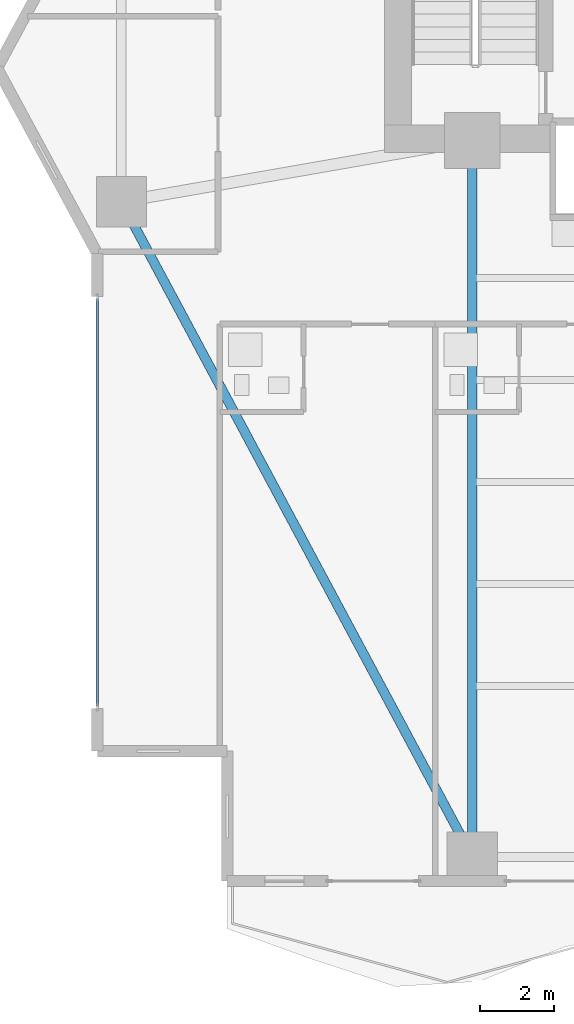
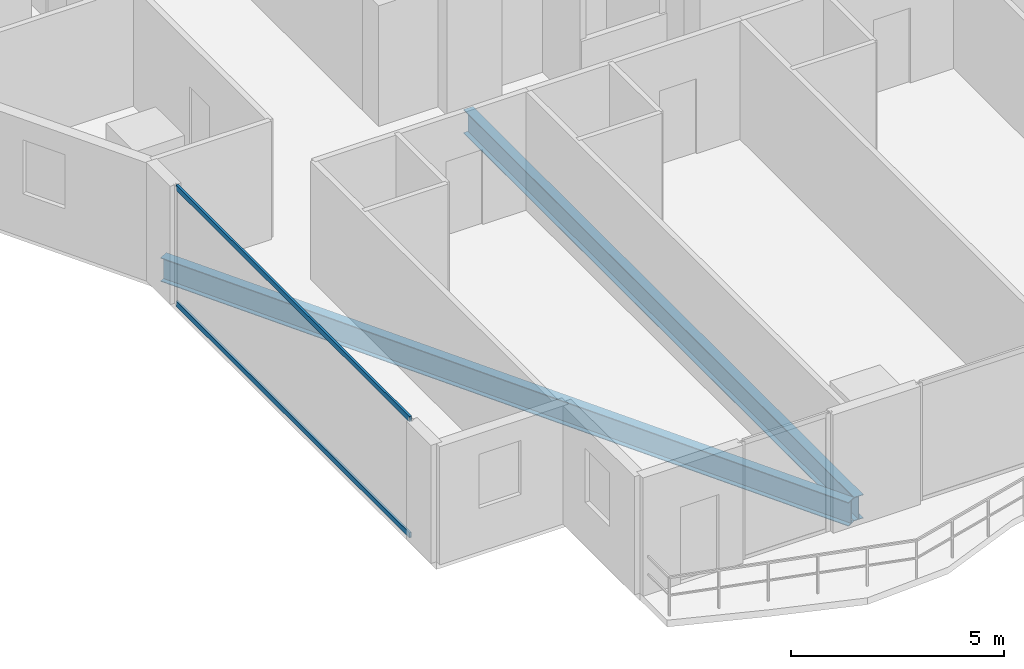
# One storey, part 3 of 29: 2 beams, 2 members, 1 element without a shape of its own.
"""IFC4 building model written with IfcOpenShell, lengths in metres."""

from ifc_helpers import new_model, si_unit, direction, frame, origin, origin_2d, place, context, subcontext, project, spatial, hollow_rectangle, i_section, extrude, material, layer, layer_set, material_profile, profile_set, type_object, element, aggregate, save


model = new_model("IFC4")

# Units and contexts
model_context = context("Model", 3, precision=1e-05, world=origin(), true_north=direction((0.0, 1.0)))
body_context = subcontext(model_context, "Body", "Model", "MODEL_VIEW")
ifc_project = project(units=[si_unit("LENGTHUNIT", "METRE"), si_unit("AREAUNIT", "SQUARE_METRE"), si_unit("VOLUMEUNIT", "CUBIC_METRE"), si_unit("PLANEANGLEUNIT", "RADIAN"), si_unit("MASSUNIT", "GRAM", prefix="KILO")], contexts=[model_context])

# Site, building, storey
site_placement = place(None, origin())
site = spatial("IfcSite", under=ifc_project, at=site_placement, CompositionType="ELEMENT")
building_placement = place(site_placement, origin())
building = spatial("IfcBuilding", under=site, at=building_placement, Name="Zuhayl Quay Hotel", CompositionType="ELEMENT")
storey_placement = place(building_placement, frame((0.0, 0.0, 158.550048828125)))
storey = spatial("IfcBuildingStorey", under=building, at=storey_placement, Name="L40", CompositionType="ELEMENT", Elevation=158.550048828125)

# Beams
ifc_material_1 = material(Name="Steel ASTM A992 Grade 50", Category="steel")
ifc_material_profile_1 = material_profile(ifc_material_1, i_section(OverallWidth=0.25390625, OverallDepth=0.68310546875, WebThickness=0.012451171875, FlangeThickness=0.018798828125, at=origin_2d()), Name="W27X94")
ifc_profile_set_1 = profile_set([ifc_material_profile_1], Name="Steel ASTM A992 Grade 50")
beam_type = type_object("IfcBeamType", Name="BM_B2_W27X94", PredefinedType="BEAM", material=ifc_profile_set_1)
beam_1_placement = place(storey_placement, frame((-23.013916015625, 2.459228515625, -0.5615234375), z_axis=(0.472017301959, -0.88158928456, 0.0), x_axis=(0.88158928456, 0.472017301959, 0.0)))
element("IfcBeam", 1, at=beam_1_placement, inside=storey, type_object=beam_type, Name="L40 Floor Beam RG_L40_12", PredefinedType="BEAM", context=body_context, shape_type="SweptSolid", body=[
    extrude(i_section(OverallWidth=0.25390625, OverallDepth=0.68310546875, WebThickness=0.012451171875, FlangeThickness=0.018798828125, at=origin_2d()), origin(), (0.0, 0.0, 1.0), 19.0205078125),
])
beam_2_placement = place(storey_placement, frame((-13.800048828125, -14.25, -0.5615234375), z_axis=(0.0, 1.0, 0.0), x_axis=(-1.0, 0.0, 0.0)))
element("IfcBeam", 2, at=beam_2_placement, inside=storey, type_object=beam_type, Name="L40 Floor Beam FG_S_L40_1", PredefinedType="BEAM", context=body_context, shape_type="SweptSolid", body=[
    extrude(i_section(OverallWidth=0.25390625, OverallDepth=0.68310546875, WebThickness=0.012451171875, FlangeThickness=0.018798828125, at=origin_2d()), origin(), (0.0, 0.0, 1.0), 18.35009765625),
])

# Curtain wall, members
ifc_material_2 = material(Name="Anodised Aluminium 6063-T6", Category="aluminium")
ifc_layer = layer(ifc_material_2, 0.179931640625, Name="Anodised Aluminium 6063-T6", Category="aluminium")
ifc_layer_set = layer_set([ifc_layer], Name="Anodised Aluminium 6063-T6")
curtain_wall_type = type_object("IfcCurtainWallType", Name="CW_SYS_Z2", PredefinedType="USERDEFINED", material=ifc_layer_set)
curtain_wall_placement = place(storey_placement, origin())
curtain_wall = element("IfcCurtainWall", 3, at=curtain_wall_placement, inside=storey, type_object=curtain_wall_type, Name="L40 Curtain Wall ENV_L40_E02_CW1", ObjectType="UNITISED CURTAIN WALL", PredefinedType="USERDEFINED")
ifc_material_3 = material(Name="Black-anodised aluminium 6063-T6", Category="aluminium")
ifc_material_profile_2 = material_profile(ifc_material_3, hollow_rectangle(XDim=0.06005859375, YDim=0.14990234375, WallThickness=0.00341796875, at=origin_2d()), Name="ALU150X60")
ifc_profile_set_2 = profile_set([ifc_material_profile_2], Name="Black-anodised aluminium 6063-T6")
member_type = type_object("IfcMemberType", Name="MB_CW_TRN_150", PredefinedType="USERDEFINED", material=ifc_profile_set_2)
member_1_placement = place(storey_placement, frame((-23.89990234375, -10.68505859375, 0.030029296875), z_axis=(0.0, 1.0, 0.0), x_axis=(-1.0, 0.0, 0.0)))
member_1 = element("IfcMember", 4, at=member_1_placement, type_object=member_type, Name="CW-Z2 transom 1.1", ObjectType="TRANSOM", PredefinedType="USERDEFINED", context=body_context, shape_type="SweptSolid", body=[
    extrude(hollow_rectangle(XDim=0.06005859375, YDim=0.14990234375, WallThickness=0.00341796875, at=origin_2d()), origin(), (0.0, 0.0, 1.0), 10.969970703125),
])
member_2_placement = place(storey_placement, frame((-23.89990234375, -10.68505859375, 3.35986328125), z_axis=(0.0, 1.0, 0.0), x_axis=(-1.0, 0.0, 0.0)))
member_2 = element("IfcMember", 5, at=member_2_placement, type_object=member_type, Name="CW-Z2 transom 1.2", ObjectType="TRANSOM", PredefinedType="USERDEFINED", context=body_context, shape_type="SweptSolid", body=[
    extrude(hollow_rectangle(XDim=0.06005859375, YDim=0.14990234375, WallThickness=0.00341796875, at=origin_2d()), origin(), (0.0, 0.0, 1.0), 10.969970703125),
])
aggregate(curtain_wall, [member_1, member_2])

save(model, "model.ifc")
